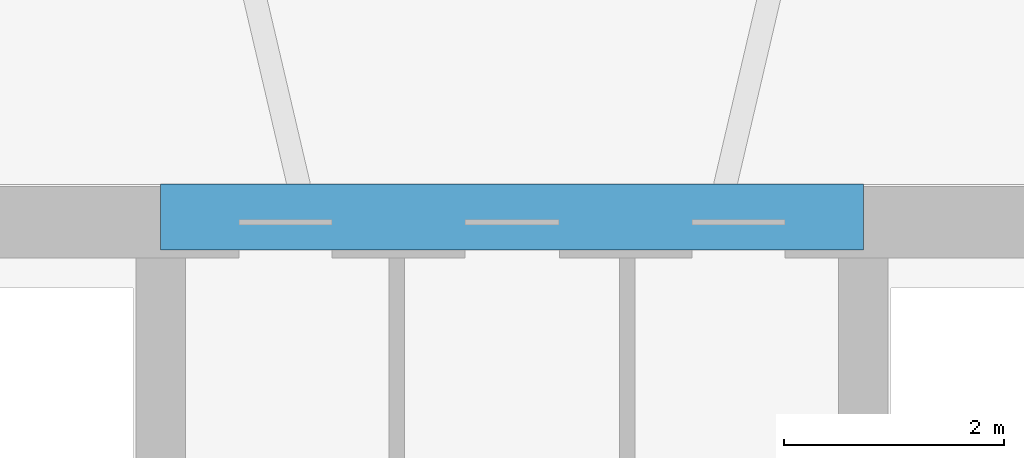
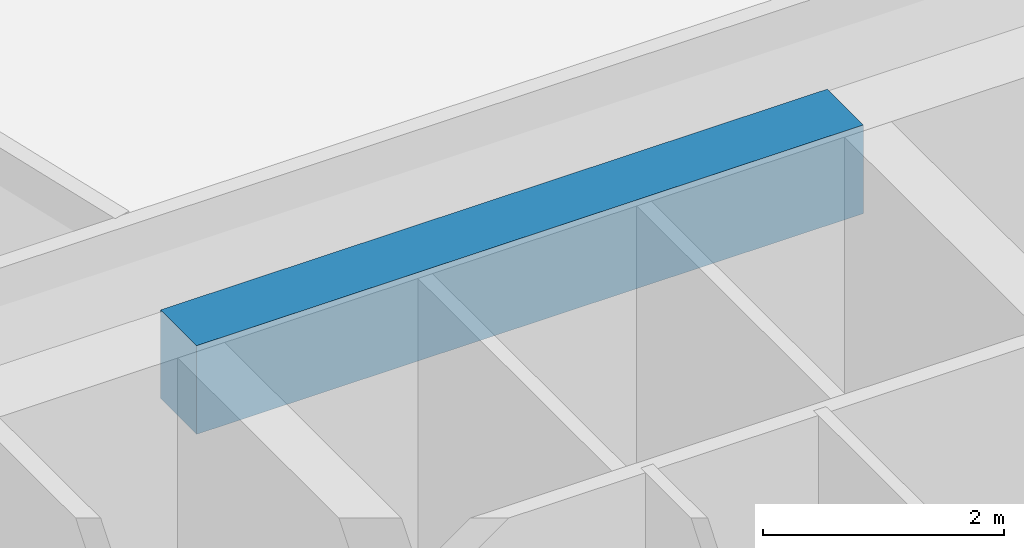
# One storey, part 8 of 29: 1 beam.
"""IFC4 building model written with IfcOpenShell, lengths in metres."""

import ifcopenshell
import ifcopenshell.guid

model = None  # the IFC model being written
_history = None  # IfcOwnerHistory: only IFC2X3 demands one
_inside = {}  # id of a spatial element -> (the spatial element, [elements in it])
_under = {}  # id of a project, library or spatial element -> (it, [spatial elements below it])
_declared = {}  # id of a project -> (the project, [libraries it declares])
_typed = {}  # id of a type object -> (the type object, [elements of that type])
_made_of = {}  # id of a material, layer set ... -> (it, [elements and type objects made of it])


def new_model(schema):
    """Start an empty IFC model of exactly this schema.

    Asked for "IFC4X3", IfcOpenShell would pick the latest addendum, in which some entities
    have other attributes; the version numbers below select the first issue.
    IFC2X3 requires an IfcOwnerHistory on every rooted entity: one is made here for all.
    """
    global model, _history
    if schema == "IFC4X3":
        model = ifcopenshell.file(schema_version=(4, 3, 0, 0))
    else:
        model = ifcopenshell.file(schema=schema)
    _inside.clear()
    _under.clear()
    _declared.clear()
    _typed.clear()
    _made_of.clear()
    _history = None
    if model.schema == "IFC2X3":
        org = make("IfcOrganization", Name="unknown")
        user = make(
            "IfcPersonAndOrganization",
            ThePerson=make("IfcPerson", FamilyName="unknown"),
            TheOrganization=org,
        )
        app = make(
            "IfcApplication",
            ApplicationDeveloper=org,
            Version="unknown",
            ApplicationFullName="unknown",
            ApplicationIdentifier="unknown",
        )
        _history = make(
            "IfcOwnerHistory",
            OwningUser=user,
            OwningApplication=app,
            ChangeAction="ADDED",
            CreationDate=0,
        )
    return model


def make(cls, **values):
    """One entity of the class cls with the attributes given. An attribute that is None is left unset."""
    return model.create_entity(
        cls, **{name: value for name, value in values.items() if value is not None}
    )


def rooted(cls, **values):
    """An entity with a GlobalId (a new one), such as an element, a storey or a relation."""
    return make(cls, GlobalId=ifcopenshell.guid.new(), OwnerHistory=_history, **values)


def si_unit(unit_type, name, prefix=None):
    """IfcSIUnit, for example si_unit("LENGTHUNIT", "METRE", prefix="MILLI")."""
    return make("IfcSIUnit", UnitType=unit_type, Prefix=prefix, Name=name)


def assignment(units):
    """IfcUnitAssignment: the units of a project."""
    return None if units is None else make("IfcUnitAssignment", Units=units)


def point(xyz):
    """IfcCartesianPoint."""
    return None if xyz is None else make("IfcCartesianPoint", Coordinates=xyz)


def direction(xyz):
    """IfcDirection."""
    return None if xyz is None else make("IfcDirection", DirectionRatios=xyz)


def frame(location, z_axis=None, x_axis=None):
    """IfcAxis2Placement3D, a coordinate frame: its origin and axes. An axis left out is left unset."""
    return make(
        "IfcAxis2Placement3D",
        Location=point(location),
        Axis=direction(z_axis),
        RefDirection=direction(x_axis),
    )


def frame_2d(location, x_axis=None):
    """IfcAxis2Placement2D, a coordinate frame in the plane: its origin and x axis."""
    return make(
        "IfcAxis2Placement2D", Location=point(location), RefDirection=direction(x_axis)
    )


def origin():
    """The frame at (0, 0, 0) with its axes left unset."""
    return frame((0.0, 0.0, 0.0))


def origin_2d():
    """The frame at (0, 0) in the plane with its x axis left unset."""
    return frame_2d((0.0, 0.0))


def place(relative_to, where):
    """IfcLocalPlacement: puts the frame where relative to a parent placement (None: the world)."""
    return make(
        "IfcLocalPlacement", PlacementRelTo=relative_to, RelativePlacement=where
    )


def context(
    kind, dimensions, precision=None, world=None, true_north=None, identifier=None
):
    """IfcGeometricRepresentationContext, for example the 3D "Model" context."""
    return make(
        "IfcGeometricRepresentationContext",
        ContextIdentifier=identifier,
        ContextType=kind,
        CoordinateSpaceDimension=dimensions,
        Precision=precision,
        WorldCoordinateSystem=world,
        TrueNorth=true_north,
    )


def subcontext(parent, identifier, kind, view, scale=None):
    """IfcGeometricRepresentationSubContext, for example "Body" below "Model"."""
    return make(
        "IfcGeometricRepresentationSubContext",
        ContextIdentifier=identifier,
        ContextType=kind,
        ParentContext=parent,
        TargetScale=scale,
        TargetView=view,
    )


def project(units=None, contexts=None):
    """IfcProject with its units and contexts."""
    return rooted(
        "IfcProject",
        Name="project",
        RepresentationContexts=contexts,
        UnitsInContext=assignment(units),
    )


def spatial(cls, under=None, at=None, **own):
    """A site, building, storey or space (cls), placed at a placement, below another one or the project."""
    s = rooted(cls, ObjectPlacement=at, **own)
    if under is not None:
        _under.setdefault(under.id(), (under, []))[1].append(s)
    return s


def profile(cls, at=None, kind="AREA", **sizes):
    """A parametric profile (cls). Its sizes go by their IFC names, for example OverallWidth=200.0."""
    return make(cls, ProfileType=kind, Position=at, **sizes)


def rectangle(**sizes):
    """IfcRectangleProfileDef."""
    return profile("IfcRectangleProfileDef", **sizes)


def extrude(swept, where, along, depth):
    """IfcExtrudedAreaSolid: the profile swept, set in the frame where, extruded along a direction by depth."""
    return make(
        "IfcExtrudedAreaSolid",
        SweptArea=swept,
        Position=where,
        ExtrudedDirection=direction(along),
        Depth=depth,
    )


def shape(context_of_items, identifier, shape_type, items):
    """IfcShapeRepresentation: the items that make up one representation, for example the "Body"."""
    return make(
        "IfcShapeRepresentation",
        ContextOfItems=context_of_items,
        RepresentationIdentifier=identifier,
        RepresentationType=shape_type,
        Items=items,
    )


def material(Name=None, Category=None):
    """IfcMaterial."""
    return make("IfcMaterial", Name=Name, Category=Category)


def material_profile(
    of_material, cross_section, Name=None, Category=None, Priority=None
):
    """IfcMaterialProfile: a cross section and its material."""
    return make(
        "IfcMaterialProfile",
        Name=Name,
        Material=of_material,
        Profile=cross_section,
        Priority=Priority,
        Category=Category,
    )


def profile_set(profiles, Name=None, composite=None):
    """IfcMaterialProfileSet."""
    return make(
        "IfcMaterialProfileSet",
        Name=Name,
        MaterialProfiles=profiles,
        CompositeProfile=composite,
    )


def made_of(thing, what):
    """Note that an element or type object is made of a material, layer set ...; save() writes the relation."""
    if what is not None:
        _made_of.setdefault(what.id(), (what, []))[1].append(thing)
    return thing


def type_object(cls, material=None, **own):
    """A type object (cls), such as IfcWallType, which elements share."""
    return made_of(rooted(cls, **own), material)


def element(
    cls,
    number,
    at=None,
    inside=None,
    cuts=None,
    type_object=None,
    material=None,
    context=None,
    identifier="Body",
    shape_type=None,
    held_by="IfcProductDefinitionShape",
    body=None,
    shapes=None,
    **own,
):
    """One element of the class cls, such as IfcWall. Its Tag is "e" and its number.

    at: its placement. inside: the storey or other place that contains it. cuts: it is an
    opening in that element (IfcRelVoidsElement). A single representation is given by context,
    identifier, shape_type and body (its items); several are given by shapes. held_by: the class
    of the entity that holds the representations. save() writes the other relations.
    """
    e = rooted(cls, Tag="e%d" % number, ObjectPlacement=at, **own)
    if body is not None:
        shapes = [shape(context, identifier, shape_type, body)]
    if shapes is not None:
        e.Representation = make(held_by, Representations=shapes)
    if inside is not None:
        _inside.setdefault(inside.id(), (inside, []))[1].append(e)
    if cuts is not None:
        rooted(
            "IfcRelVoidsElement", RelatingBuildingElement=cuts, RelatedOpeningElement=e
        )
    if type_object is not None:
        _typed.setdefault(type_object.id(), (type_object, []))[1].append(e)
    return made_of(e, material)


def aggregate(whole, parts):
    """IfcRelAggregates: a whole, such as a stair, and the parts it consists of."""
    return rooted("IfcRelAggregates", RelatingObject=whole, RelatedObjects=parts)


def save(model, path):
    """Write the relations noted so far, then the file.

    IfcRelAggregates (storeys below a building ...), IfcRelContainedInSpatialStructure (elements
    in a storey), IfcRelDefinesByType, IfcRelAssociatesMaterial and IfcRelDeclares: one each for
    every whole, place, type object, material and project.
    """
    for whole, parts in _under.values():
        aggregate(whole, parts)
    for where, things in _inside.values():
        rooted(
            "IfcRelContainedInSpatialStructure",
            RelatedElements=things,
            RelatingStructure=where,
        )
    for kind, things in _typed.values():
        rooted("IfcRelDefinesByType", RelatedObjects=things, RelatingType=kind)
    for what, things in _made_of.values():
        rooted("IfcRelAssociatesMaterial", RelatedObjects=things, RelatingMaterial=what)
    for by, libraries in _declared.values():
        rooted("IfcRelDeclares", RelatingContext=by, RelatedDefinitions=libraries)
    model.write(path)


model = new_model("IFC4")

# Units and contexts
model_context = context("Model", 3, precision=1e-05, world=origin(), true_north=direction((-0.2419218956, 0.970295726276)))
body_context = subcontext(model_context, "Body", "Model", "MODEL_VIEW")
ifc_project = project(units=[si_unit("LENGTHUNIT", "METRE"), si_unit("AREAUNIT", "SQUARE_METRE"), si_unit("VOLUMEUNIT", "CUBIC_METRE"), si_unit("PLANEANGLEUNIT", "RADIAN"), si_unit("MASSUNIT", "GRAM", prefix="KILO")], contexts=[model_context])

# Site, building, storey
site_placement = place(None, origin())
site = spatial("IfcSite", under=ifc_project, at=site_placement, CompositionType="ELEMENT")
building_placement = place(site_placement, origin())
building = spatial("IfcBuilding", under=site, at=building_placement, Name="Cobrevalo Terracotta Tower", CompositionType="ELEMENT")
storey_placement = place(building_placement, frame((0.0, 0.0, 130.199951171875)))
storey = spatial("IfcBuildingStorey", under=building, at=storey_placement, Name="L34", CompositionType="ELEMENT", Elevation=130.199951171875)

# Beam
ifc_material = material(Name="Concrete C60", Category="concrete")
ifc_material_profile = material_profile(ifc_material, rectangle(XDim=0.60009765625, YDim=0.89990234375, at=origin_2d()), Name="RC CB 600x900")
ifc_profile_set = profile_set([ifc_material_profile], Name="Concrete C60")
beam_type = type_object("IfcBeamType", Name="Structural Beam RC CB 600x900 (Concrete C60)", PredefinedType="BEAM", material=ifc_profile_set)
beam_placement = place(storey_placement, frame((34.800048828125, 34.800048828125, 4.47998046875), z_axis=(1.0, 0.0, 0.0), x_axis=(0.0, 1.0, 0.0)))
element("IfcBeam", 1, at=beam_placement, inside=storey, type_object=beam_type, Name="L34 core coupling beam 2", PredefinedType="BEAM", context=body_context, shape_type="SweptSolid", body=[
    extrude(rectangle(XDim=0.60009765625, YDim=0.89990234375, at=origin_2d()), origin(), (0.0, 0.0, 1.0), 6.39990234375),
])

save(model, "model.ifc")
